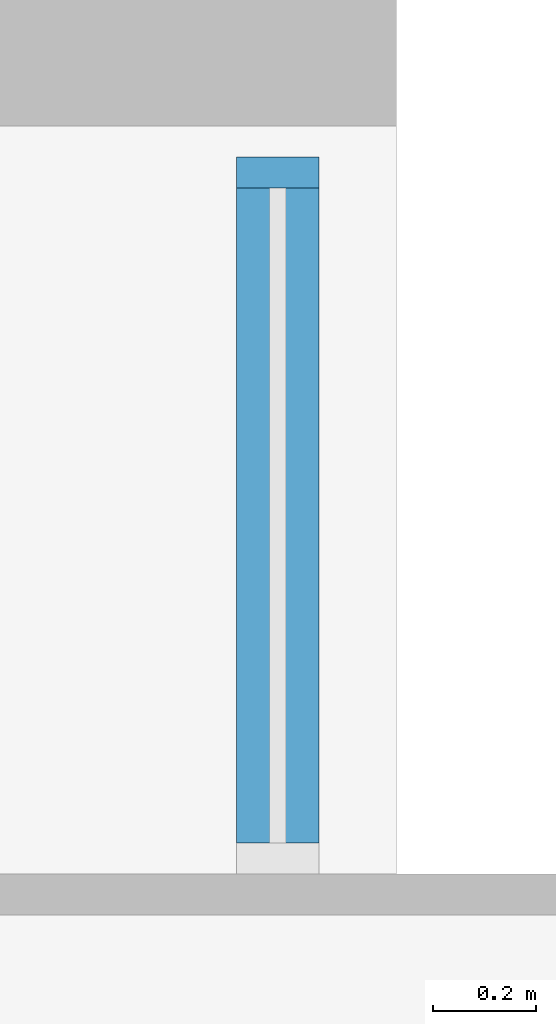
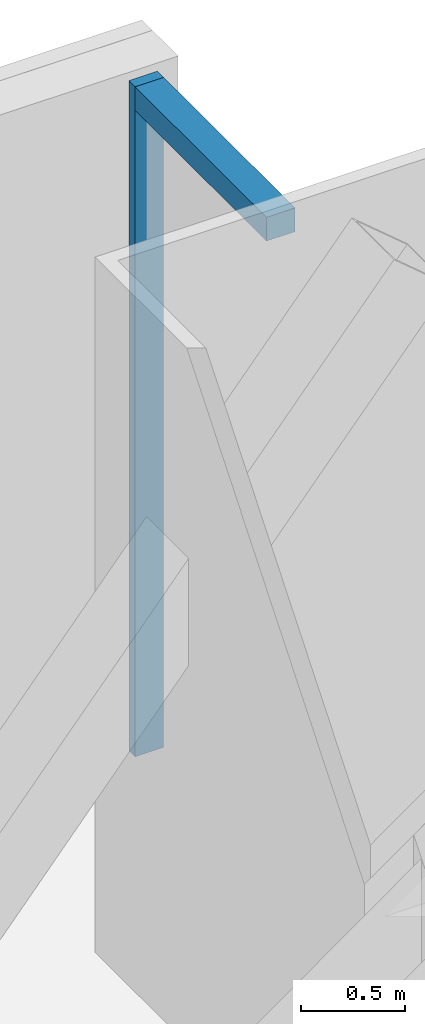
# One storey, part 13 of 21: 2 members, 1 element without a shape of its own.
"""IFC4 building model written with IfcOpenShell, lengths in metres."""

from ifc_helpers import new_model, si_unit, direction, frame, origin, origin_2d, place, context, subcontext, project, spatial, rectangle, extrude, material, material_profile, profile_set, type_object, element, aggregate, save


model = new_model("IFC4")

# Units and contexts
model_context = context("Model", 3, precision=1e-05, world=origin(), true_north=direction((0.0, 1.0)))
body_context = subcontext(model_context, "Body", "Model", "MODEL_VIEW")
ifc_project = project(units=[si_unit("LENGTHUNIT", "METRE"), si_unit("AREAUNIT", "SQUARE_METRE"), si_unit("VOLUMEUNIT", "CUBIC_METRE"), si_unit("PLANEANGLEUNIT", "RADIAN"), si_unit("MASSUNIT", "GRAM", prefix="KILO")], contexts=[model_context])

# Site, building, storey
site_placement = place(None, origin())
site = spatial("IfcSite", under=ifc_project, at=site_placement, CompositionType="ELEMENT")
building_placement = place(site_placement, origin())
building = spatial("IfcBuilding", under=site, at=building_placement, Name="Bicima Exchange Tower", CompositionType="ELEMENT")
storey_placement = place(building_placement, frame((0.0, 0.0, 173.199951171875)))
storey = spatial("IfcBuildingStorey", under=building, at=storey_placement, Name="L38", CompositionType="ELEMENT", Elevation=173.199951171875)

# Curtain wall, members
ifc_material = material(Name="Anodised bronze aluminium", Category="aluminium")
curtain_wall_type = type_object("IfcCurtainWallType", Name="Front glass wall", PredefinedType="NOTDEFINED", material=ifc_material)
curtain_wall_placement = place(storey_placement, origin())
curtain_wall = element("IfcCurtainWall", 1, at=curtain_wall_placement, inside=storey, type_object=curtain_wall_type, Name="Front glass wall L38 run 20", PredefinedType="NOTDEFINED")
ifc_material_profile_1 = material_profile(ifc_material, rectangle(XDim=0.159912109375, YDim=0.06005859375, at=origin_2d()))
ifc_profile_set_1 = profile_set([ifc_material_profile_1], Name="Anodised bronze aluminium")
member_type_1 = type_object("IfcMemberType", Name="Front glass wall mullion 60 x 160", PredefinedType="MULLION", material=ifc_profile_set_1)
member_1_placement = place(storey_placement, frame((32.77001953125, -0.340087890625, 0.0), z_axis=(0.0, 0.0, 1.0), x_axis=(-1.0, 0.0, 0.0)))
member_1 = element("IfcMember", 2, at=member_1_placement, type_object=member_type_1, Name="Front glass wall mullion 2", PredefinedType="MULLION", context=body_context, shape_type="SweptSolid", body=[
    extrude(rectangle(XDim=0.159912109375, YDim=0.06005859375, at=origin_2d()), origin(), (0.0, 0.0, 1.0), 3.949951171875),
])
ifc_material_profile_2 = material_profile(ifc_material, rectangle(XDim=0.159912109375, YDim=0.139892578125, at=origin_2d()))
ifc_profile_set_2 = profile_set([ifc_material_profile_2], Name="Anodised bronze aluminium")
member_type_2 = type_object("IfcMemberType", Name="Front glass wall transom 140 x 160", PredefinedType="USERDEFINED", material=ifc_profile_set_2)
member_2_placement = place(storey_placement, frame((32.77001953125, -1.639892578125, 3.880126953125), z_axis=(0.0, 1.0, 0.0), x_axis=(-1.0, 0.0, 0.0)))
member_2 = element("IfcMember", 3, at=member_2_placement, type_object=member_type_2, Name="Front glass wall transom 1.1", ObjectType="TRANSOM", PredefinedType="USERDEFINED", context=body_context, shape_type="SweptSolid", body=[
    extrude(rectangle(XDim=0.159912109375, YDim=0.139892578125, at=origin_2d()), origin(), (0.0, 0.0, 1.0), 1.269775390625),
])
aggregate(curtain_wall, [member_1, member_2])

save(model, "model.ifc")
